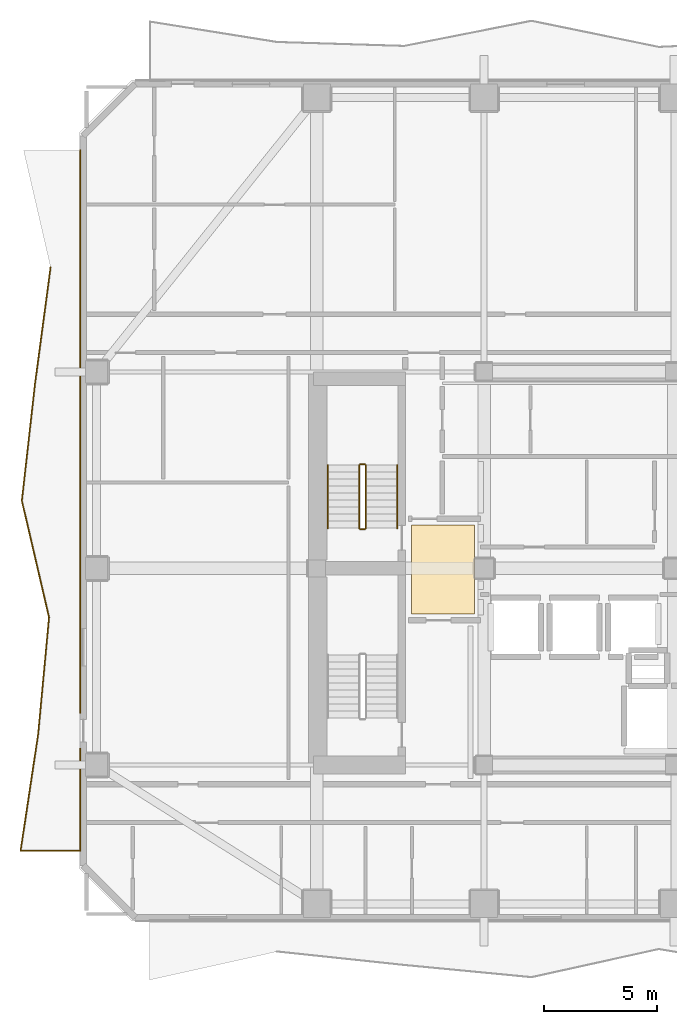
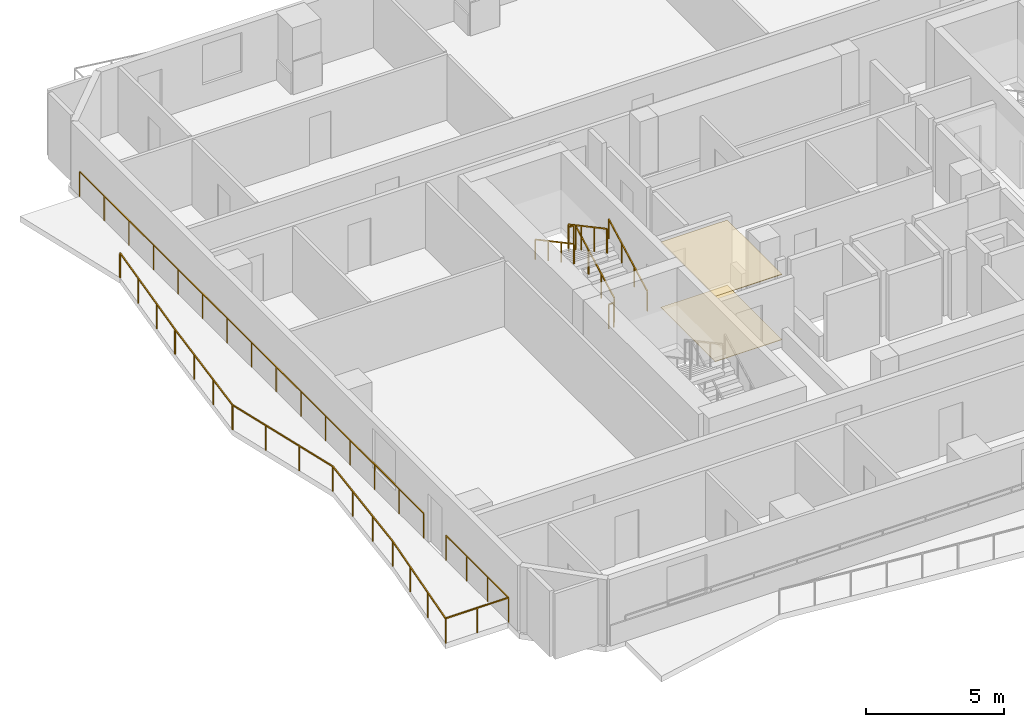
# One storey, part 8 of 10: 8 railings, 2 coverings.
"""IFC4 building model written with IfcOpenShell, lengths in metres."""

from ifc_helpers import new_model, si_unit, direction, frame, origin, origin_2d, place, context, subcontext, project, spatial, polyline, rectangle, outline, extrude, material, layer, layer_set, type_object, element, save


model = new_model("IFC4")

# Units and contexts
model_context = context("Model", 3, precision=1e-05, world=origin(), true_north=direction((0.0, 1.0)))
body_context = subcontext(model_context, "Body", "Model", "MODEL_VIEW")
ifc_project = project(units=[si_unit("LENGTHUNIT", "METRE"), si_unit("AREAUNIT", "SQUARE_METRE"), si_unit("VOLUMEUNIT", "CUBIC_METRE"), si_unit("PLANEANGLEUNIT", "RADIAN"), si_unit("MASSUNIT", "GRAM", prefix="KILO")], contexts=[model_context])

# Site, building, storey
site_placement = place(None, origin())
site = spatial("IfcSite", under=ifc_project, at=site_placement, CompositionType="ELEMENT")
building_placement = place(site_placement, origin())
building = spatial("IfcBuilding", under=site, at=building_placement, Name="Solanera Arch Residences", CompositionType="ELEMENT")
storey_placement = place(building_placement, frame((0.0, 0.0, 186.840087890625)))
storey = spatial("IfcBuildingStorey", under=building, at=storey_placement, Name="L54", CompositionType="ELEMENT", Elevation=186.840087890625)

# Railings
ifc_material_1 = material(Name="Steel S355 (ASTM A992 / A572 Grade 50)", Category="steel")
railing_type_1 = type_object("IfcRailingType", Name="Balustrade Railing BL-1100", PredefinedType="BALUSTRADE", material=ifc_material_1)
railing_1_placement = place(storey_placement, frame((1.612060546875, 44.032958984375, 0.0)))
element("IfcRailing", 1, at=railing_1_placement, inside=storey, type_object=railing_type_1, Name="L54 W Balcony Balustrade 1", PredefinedType="BALUSTRADE", context=body_context, shape_type="SweptSolid", body=[
    extrude(rectangle(XDim=0.048095703125, YDim=0.048095703125, at=origin_2d()), frame((0.0, 0.0, 1.09619140625), z_axis=(-0.132194404018, -0.991223809009, 0.0), x_axis=(0.991223809009, -0.132194404018, 0.0)), (0.0, 0.0, 1.0), 5.211669921875),
    extrude(rectangle(XDim=0.048095703125, YDim=0.048095703125, at=origin_2d()), frame((-0.68896484375, -5.166015625, 1.09619140625), z_axis=(-0.111936189078, -0.993715396668, 0.0), x_axis=(0.993715396668, -0.111936189078, 0.0)), (0.0, 0.0, 1.0), 5.19970703125),
    extrude(rectangle(XDim=0.048095703125, YDim=0.048095703125, at=origin_2d()), frame((-1.27099609375, -10.3330078125, 1.09619140625), z_axis=(0.226912475326, -0.973915154693, 0.0), x_axis=(0.973915154693, 0.226912475326, 0.0)), (0.0, 0.0, 1.0), 5.305419921875),
    extrude(rectangle(XDim=0.048095703125, YDim=0.048095703125, at=origin_2d()), frame((-0.067138671875, -15.5, 1.09619140625), z_axis=(-0.093072502952, -0.995659333906, 0.0), x_axis=(0.995659333906, -0.093072502952, 0.0)), (0.0, 0.0, 1.0), 5.1884765625),
    extrude(rectangle(XDim=0.048095703125, YDim=0.048095703125, at=origin_2d()), frame((-0.550048828125, -20.666015625, 1.09619140625), z_axis=(-0.148724291486, -0.988878700914, 0.0), x_axis=(0.988878700914, -0.148724291486, 0.0)), (0.0, 0.0, 1.0), 5.22509765625),
    extrude(rectangle(XDim=0.048095703125, YDim=0.048095703125, at=origin_2d()), frame((-1.3271484375, -25.8330078125, 1.09619140625), z_axis=(1.0, 0.0, 0.0), x_axis=(0.0, 1.0, 0.0)), (0.0, 0.0, 1.0), 2.635009765625),
    extrude(rectangle(XDim=0.048095703125, YDim=0.048095703125, at=origin_2d()), frame((1.307861328125, -25.8330078125, 1.09619140625), z_axis=(0.0, 1.0, 0.0), x_axis=(-1.0, 0.0, 0.0)), (0.0, 0.0, 1.0), 4.52197265625),
    extrude(rectangle(XDim=0.0419921875, YDim=0.0419921875, at=origin_2d()), origin(), (0.0, 0.0, 1.0), 1.072021484375),
    extrude(rectangle(XDim=0.0419921875, YDim=0.0419921875, at=origin_2d()), frame((-0.229736328125, -1.721923828125, 0.0)), (0.0, 0.0, 1.0), 1.072021484375),
    extrude(rectangle(XDim=0.0419921875, YDim=0.0419921875, at=origin_2d()), frame((-0.459228515625, -3.444091796875, 0.0)), (0.0, 0.0, 1.0), 1.072021484375),
    extrude(rectangle(XDim=0.0419921875, YDim=0.0419921875, at=origin_2d()), frame((-0.68896484375, -5.166015625, 0.0)), (0.0, 0.0, 1.0), 1.072021484375),
    extrude(rectangle(XDim=0.0419921875, YDim=0.0419921875, at=origin_2d()), frame((-0.883056640625, -6.888427734375, 0.0)), (0.0, 0.0, 1.0), 1.072021484375),
    extrude(rectangle(XDim=0.0419921875, YDim=0.0419921875, at=origin_2d()), frame((-1.076904296875, -8.610595703125, 0.0)), (0.0, 0.0, 1.0), 1.072021484375),
    extrude(rectangle(XDim=0.0419921875, YDim=0.0419921875, at=origin_2d()), frame((-1.27099609375, -10.3330078125, 0.0)), (0.0, 0.0, 1.0), 1.072021484375),
    extrude(rectangle(XDim=0.0419921875, YDim=0.0419921875, at=origin_2d()), frame((-0.86962890625, -12.055419921875, 0.0)), (0.0, 0.0, 1.0), 1.072021484375),
    extrude(rectangle(XDim=0.0419921875, YDim=0.0419921875, at=origin_2d()), frame((-0.468505859375, -13.777587890625, 0.0)), (0.0, 0.0, 1.0), 1.072021484375),
    extrude(rectangle(XDim=0.0419921875, YDim=0.0419921875, at=origin_2d()), frame((-0.067138671875, -15.5, 0.0)), (0.0, 0.0, 1.0), 1.072021484375),
    extrude(rectangle(XDim=0.0419921875, YDim=0.0419921875, at=origin_2d()), frame((-0.22802734375, -17.221923828125, 0.0)), (0.0, 0.0, 1.0), 1.072021484375),
    extrude(rectangle(XDim=0.0419921875, YDim=0.0419921875, at=origin_2d()), frame((-0.38916015625, -18.944091796875, 0.0)), (0.0, 0.0, 1.0), 1.072021484375),
    extrude(rectangle(XDim=0.0419921875, YDim=0.0419921875, at=origin_2d()), frame((-0.550048828125, -20.666015625, 0.0)), (0.0, 0.0, 1.0), 1.072021484375),
    extrude(rectangle(XDim=0.0419921875, YDim=0.0419921875, at=origin_2d()), frame((-0.80908203125, -22.388427734375, 0.0)), (0.0, 0.0, 1.0), 1.072021484375),
    extrude(rectangle(XDim=0.0419921875, YDim=0.0419921875, at=origin_2d()), frame((-1.068115234375, -24.110595703125, 0.0)), (0.0, 0.0, 1.0), 1.072021484375),
    extrude(rectangle(XDim=0.0419921875, YDim=0.0419921875, at=origin_2d()), frame((-1.3271484375, -25.8330078125, 0.0)), (0.0, 0.0, 1.0), 1.072021484375),
    extrude(rectangle(XDim=0.0419921875, YDim=0.0419921875, at=origin_2d()), frame((-0.009765625, -25.8330078125, 0.0)), (0.0, 0.0, 1.0), 1.072021484375),
    extrude(rectangle(XDim=0.0419921875, YDim=0.0419921875, at=origin_2d()), frame((1.307861328125, -25.8330078125, 0.0)), (0.0, 0.0, 1.0), 1.072021484375),
    extrude(rectangle(XDim=0.0419921875, YDim=0.0419921875, at=origin_2d()), frame((1.307861328125, -24.32568359375, 0.0)), (0.0, 0.0, 1.0), 1.072021484375),
    extrude(rectangle(XDim=0.0419921875, YDim=0.0419921875, at=origin_2d()), frame((1.307861328125, -22.818359375, 0.0)), (0.0, 0.0, 1.0), 1.072021484375),
    extrude(rectangle(XDim=0.0419921875, YDim=0.0419921875, at=origin_2d()), frame((1.307861328125, -21.31103515625, 0.0)), (0.0, 0.0, 1.0), 1.072021484375),
])
railing_2_placement = place(storey_placement, frame((2.919921875, 24.322021484375, 0.0)))
element("IfcRailing", 2, at=railing_2_placement, inside=storey, type_object=railing_type_1, Name="L54 W Balcony Balustrade 2", PredefinedType="BALUSTRADE", context=body_context, shape_type="SweptSolid", body=[
    extrude(rectangle(XDim=0.048095703125, YDim=0.048095703125, at=origin_2d()), frame((0.0, 0.0, 1.09619140625), z_axis=(0.0, 1.0, 0.0), x_axis=(-1.0, 0.0, 0.0)), (0.0, 0.0, 1.0), 24.8779296875),
    extrude(rectangle(XDim=0.0419921875, YDim=0.0419921875, at=origin_2d()), origin(), (0.0, 0.0, 1.0), 1.072021484375),
    extrude(rectangle(XDim=0.0419921875, YDim=0.0419921875, at=origin_2d()), frame((0.0, 1.777099609375, 0.0)), (0.0, 0.0, 1.0), 1.072021484375),
    extrude(rectangle(XDim=0.0419921875, YDim=0.0419921875, at=origin_2d()), frame((0.0, 3.553955078125, 0.0)), (0.0, 0.0, 1.0), 1.072021484375),
    extrude(rectangle(XDim=0.0419921875, YDim=0.0419921875, at=origin_2d()), frame((0.0, 5.3310546875, 0.0)), (0.0, 0.0, 1.0), 1.072021484375),
    extrude(rectangle(XDim=0.0419921875, YDim=0.0419921875, at=origin_2d()), frame((0.0, 7.10791015625, 0.0)), (0.0, 0.0, 1.0), 1.072021484375),
    extrude(rectangle(XDim=0.0419921875, YDim=0.0419921875, at=origin_2d()), frame((0.0, 8.885009765625, 0.0)), (0.0, 0.0, 1.0), 1.072021484375),
    extrude(rectangle(XDim=0.0419921875, YDim=0.0419921875, at=origin_2d()), frame((0.0, 10.661865234375, 0.0)), (0.0, 0.0, 1.0), 1.072021484375),
    extrude(rectangle(XDim=0.0419921875, YDim=0.0419921875, at=origin_2d()), frame((0.0, 12.43896484375, 0.0)), (0.0, 0.0, 1.0), 1.072021484375),
    extrude(rectangle(XDim=0.0419921875, YDim=0.0419921875, at=origin_2d()), frame((0.0, 14.216064453125, 0.0)), (0.0, 0.0, 1.0), 1.072021484375),
    extrude(rectangle(XDim=0.0419921875, YDim=0.0419921875, at=origin_2d()), frame((0.0, 15.992919921875, 0.0)), (0.0, 0.0, 1.0), 1.072021484375),
    extrude(rectangle(XDim=0.0419921875, YDim=0.0419921875, at=origin_2d()), frame((0.0, 17.77001953125, 0.0)), (0.0, 0.0, 1.0), 1.072021484375),
    extrude(rectangle(XDim=0.0419921875, YDim=0.0419921875, at=origin_2d()), frame((0.0, 19.546875, 0.0)), (0.0, 0.0, 1.0), 1.072021484375),
    extrude(rectangle(XDim=0.0419921875, YDim=0.0419921875, at=origin_2d()), frame((0.0, 21.323974609375, 0.0)), (0.0, 0.0, 1.0), 1.072021484375),
    extrude(rectangle(XDim=0.0419921875, YDim=0.0419921875, at=origin_2d()), frame((0.0, 23.100830078125, 0.0)), (0.0, 0.0, 1.0), 1.072021484375),
    extrude(rectangle(XDim=0.0419921875, YDim=0.0419921875, at=origin_2d()), frame((0.0, 24.8779296875, 0.0)), (0.0, 0.0, 1.0), 1.072021484375),
])

# Covering
ifc_material_2 = material(Name="Porcelain Acoustic Floor Tile", Category="ceramic")
ifc_layer_1 = layer(ifc_material_2, 0.02001953125)
ifc_layer_set_1 = layer_set([ifc_layer_1], Name="Porcelain Acoustic Floor Tile")
covering_type_1 = type_object("IfcCoveringType", Name="Porcelain Acoustic Floor Finish FLR-20", PredefinedType="FLOORING", material=ifc_layer_set_1)
covering_1_placement = place(storey_placement, origin())
element("IfcCovering", 3, at=covering_1_placement, inside=storey, type_object=covering_type_1, Name="L54-FFL-W Porcelain Floor Finish", PredefinedType="FLOORING", context=body_context, shape_type="SweptSolid", body=[
    extrude(outline(polyline([(20.375, 28.675048828125), (17.594970703125, 28.675048828125), (17.594970703125, 32.625), (20.375, 32.625), (20.375, 28.675048828125)])), origin(), (0.0, 0.0, 1.0), 0.02001953125),
])

# Railings
ifc_material_3 = material(Name="Steel S355 (ASTM A992 / A572 Grade 50)", Category="steel")
railing_type_2 = type_object("IfcRailingType", Name="Stair Guardrail GR-1100", PredefinedType="GUARDRAIL", material=ifc_material_3)
railing_3_placement = place(storey_placement, frame((15.570068359375, 32.47998046875, 0.15087890625)))
element("IfcRailing", 4, at=railing_3_placement, inside=storey, type_object=railing_type_2, Name="L54 ST-T1 stair guard 1", PredefinedType="GUARDRAIL", context=body_context, shape_type="SweptSolid", body=[
    extrude(rectangle(XDim=0.048095703125, YDim=0.048095703125, at=origin_2d()), frame((0.0, 0.0, 1.076171875), z_axis=(0.0, 0.881548766853, 0.472092969298), x_axis=(-1.0, 0.0, 0.0)), (0.0, 0.0, 1.0), 3.1650390625),
    extrude(rectangle(XDim=0.0419921875, YDim=0.0419921875, at=origin_2d()), origin(), (0.0, 0.0, 1.0), 1.052001953125),
    extrude(rectangle(XDim=0.0419921875, YDim=0.0419921875, at=origin_2d()), frame((0.0, 0.929931640625, 0.498046875)), (0.0, 0.0, 1.0), 1.052001953125),
    extrude(rectangle(XDim=0.0419921875, YDim=0.0419921875, at=origin_2d()), frame((0.0, 1.860107421875, 0.99609375)), (0.0, 0.0, 1.0), 1.052001953125),
    extrude(rectangle(XDim=0.0419921875, YDim=0.0419921875, at=origin_2d()), frame((0.0, 2.7900390625, 1.494140625)), (0.0, 0.0, 1.0), 1.052001953125),
])
railing_4_placement = place(storey_placement, frame((15.52001953125, 35.320068359375, 1.64501953125)))
element("IfcRailing", 5, at=railing_4_placement, inside=storey, type_object=railing_type_2, Name="L54 ST-T1 stair guard 2", PredefinedType="GUARDRAIL", context=body_context, shape_type="SweptSolid", body=[
    extrude(rectangle(XDim=0.048095703125, YDim=0.048095703125, at=origin_2d()), frame((0.0, 0.0, 1.076171875), z_axis=(-1.0, 0.0, 0.0), x_axis=(0.0, -1.0, 0.0)), (0.0, 0.0, 1.0), 0.199951171875),
    extrude(rectangle(XDim=0.0419921875, YDim=0.0419921875, at=origin_2d()), origin(), (0.0, 0.0, 1.0), 1.052001953125),
    extrude(rectangle(XDim=0.0419921875, YDim=0.0419921875, at=origin_2d()), frame((-0.199951171875, 0.0, 0.0)), (0.0, 0.0, 1.0), 1.052001953125),
])
railing_5_placement = place(storey_placement, frame((15.27001953125, 35.27001953125, 1.810791015625)))
element("IfcRailing", 6, at=railing_5_placement, inside=storey, type_object=railing_type_2, Name="L54 ST-T1 stair guard 3", PredefinedType="GUARDRAIL", context=body_context, shape_type="SweptSolid", body=[
    extrude(rectangle(XDim=0.048095703125, YDim=0.048095703125, at=origin_2d()), frame((0.0, 0.0, 1.076171875), z_axis=(0.0, -0.881548766853, 0.472092969298), x_axis=(1.0, 0.0, 0.0)), (0.0, 0.0, 1.0), 3.1650390625),
    extrude(rectangle(XDim=0.0419921875, YDim=0.0419921875, at=origin_2d()), origin(), (0.0, 0.0, 1.0), 1.052001953125),
    extrude(rectangle(XDim=0.0419921875, YDim=0.0419921875, at=origin_2d()), frame((0.0, -0.929931640625, 0.498046875)), (0.0, 0.0, 1.0), 1.052001953125),
    extrude(rectangle(XDim=0.0419921875, YDim=0.0419921875, at=origin_2d()), frame((0.0, -1.860107421875, 0.99609375)), (0.0, 0.0, 1.0), 1.052001953125),
    extrude(rectangle(XDim=0.0419921875, YDim=0.0419921875, at=origin_2d()), frame((0.0, -2.7900390625, 1.494140625)), (0.0, 0.0, 1.0), 1.052001953125),
])
railing_6_placement = place(storey_placement, frame((15.52001953125, 32.429931640625, -0.01513671875)))
element("IfcRailing", 7, at=railing_6_placement, inside=storey, type_object=railing_type_2, Name="L54 ST-T1 stair guard 4", PredefinedType="GUARDRAIL", context=body_context, shape_type="SweptSolid", body=[
    extrude(rectangle(XDim=0.048095703125, YDim=0.048095703125, at=origin_2d()), frame((0.0, 0.0, 1.076171875), z_axis=(-1.0, 0.0, 0.0), x_axis=(0.0, -1.0, 0.0)), (0.0, 0.0, 1.0), 0.199951171875),
    extrude(rectangle(XDim=0.0419921875, YDim=0.0419921875, at=origin_2d()), origin(), (0.0, 0.0, 1.0), 1.052001953125),
    extrude(rectangle(XDim=0.0419921875, YDim=0.0419921875, at=origin_2d()), frame((-0.199951171875, 0.0, 0.0)), (0.0, 0.0, 1.0), 1.052001953125),
])
ifc_material_4 = material(Name="Steel S355 (ASTM A992 / A572 Grade 50)", Category="steel")
railing_type_3 = type_object("IfcRailingType", Name="Stair Wall Handrail HR-920", PredefinedType="HANDRAIL", material=ifc_material_4)
railing_7_placement = place(storey_placement, frame((16.949951171875, 32.47998046875, 0.166015625)))
element("IfcRailing", 8, at=railing_7_placement, inside=storey, type_object=railing_type_3, Name="L54 ST-T1 stair handrail 1", PredefinedType="HANDRAIL", context=body_context, shape_type="SweptSolid", body=[
    extrude(rectangle(XDim=0.048095703125, YDim=0.048095703125, at=origin_2d()), frame((0.0, 0.0, 0.8759765625), z_axis=(0.0, 0.881580869306, 0.472033018838), x_axis=(-1.0, 0.0, 0.0)), (0.0, 0.0, 1.0), 3.164794921875),
    extrude(rectangle(XDim=0.0419921875, YDim=0.0419921875, at=origin_2d()), origin(), (0.0, 0.0, 1.0), 0.851806640625),
    extrude(rectangle(XDim=0.0419921875, YDim=0.0419921875, at=origin_2d()), frame((0.0, 0.929931640625, 0.498046875)), (0.0, 0.0, 1.0), 0.851806640625),
    extrude(rectangle(XDim=0.0419921875, YDim=0.0419921875, at=origin_2d()), frame((0.0, 1.860107421875, 0.995849609375)), (0.0, 0.0, 1.0), 0.851806640625),
    extrude(rectangle(XDim=0.0419921875, YDim=0.0419921875, at=origin_2d()), frame((0.0, 2.7900390625, 1.493896484375)), (0.0, 0.0, 1.0), 0.851806640625),
])
railing_8_placement = place(storey_placement, frame((13.889892578125, 35.27001953125, 1.825927734375)))
element("IfcRailing", 9, at=railing_8_placement, inside=storey, type_object=railing_type_3, Name="L54 ST-T1 stair handrail 2", PredefinedType="HANDRAIL", context=body_context, shape_type="SweptSolid", body=[
    extrude(rectangle(XDim=0.048095703125, YDim=0.048095703125, at=origin_2d()), frame((0.0, 0.0, 0.8759765625), z_axis=(0.0, -0.881580869306, 0.472033018838), x_axis=(1.0, 0.0, 0.0)), (0.0, 0.0, 1.0), 3.164794921875),
    extrude(rectangle(XDim=0.0419921875, YDim=0.0419921875, at=origin_2d()), origin(), (0.0, 0.0, 1.0), 0.851806640625),
    extrude(rectangle(XDim=0.0419921875, YDim=0.0419921875, at=origin_2d()), frame((0.0, -0.929931640625, 0.498046875)), (0.0, 0.0, 1.0), 0.851806640625),
    extrude(rectangle(XDim=0.0419921875, YDim=0.0419921875, at=origin_2d()), frame((0.0, -1.860107421875, 0.995849609375)), (0.0, 0.0, 1.0), 0.851806640625),
    extrude(rectangle(XDim=0.0419921875, YDim=0.0419921875, at=origin_2d()), frame((0.0, -2.7900390625, 1.493896484375)), (0.0, 0.0, 1.0), 0.851806640625),
])

# Covering
ifc_material_5 = material(Name="Mineral Fibre Acoustic Ceiling Board", Category="gypsum")
ifc_layer_2 = layer(ifc_material_5, 0.02490234375)
ifc_layer_set_2 = layer_set([ifc_layer_2], Name="Mineral Fibre Acoustic Ceiling Board")
covering_type_2 = type_object("IfcCoveringType", Name="Suspended Acoustic Ceiling Board CLG-25", PredefinedType="CEILING", material=ifc_layer_set_2)
covering_2_placement = place(storey_placement, frame((0.0, 0.0, 2.875)))
element("IfcCovering", 10, at=covering_2_placement, inside=storey, type_object=covering_type_2, Name="L54-FFL-W Acoustic Ceiling", PredefinedType="CEILING", context=body_context, shape_type="SweptSolid", body=[
    extrude(outline(polyline([(20.375, 28.675048828125), (17.594970703125, 28.675048828125), (17.594970703125, 32.625), (20.375, 32.625), (20.375, 28.675048828125)])), origin(), (0.0, 0.0, 1.0), 0.02490234375),
])

save(model, "model.ifc")
